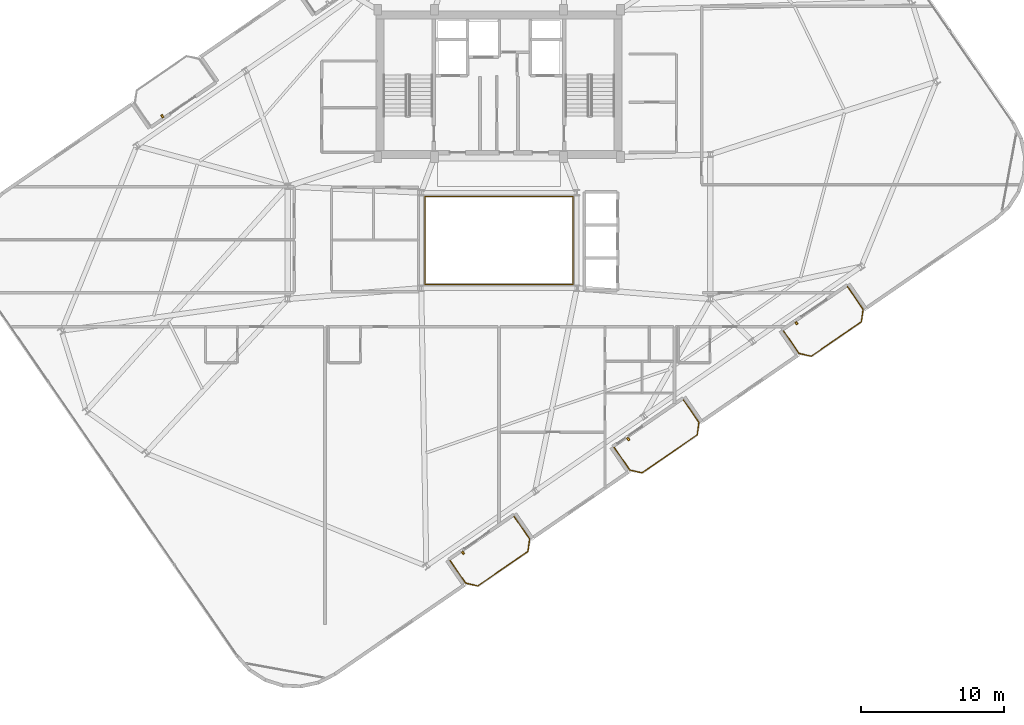
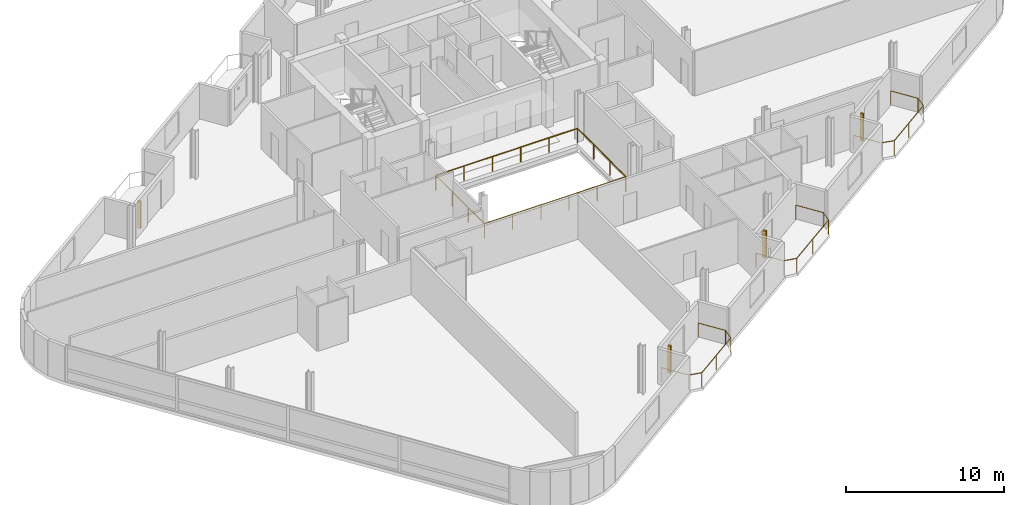
# One storey, part 21 of 23: 5 railings, 4 shading devices.
"""IFC4 building model written with IfcOpenShell, lengths in metres."""

from ifc_helpers import new_model, si_unit, direction, frame, origin, origin_2d, place, context, subcontext, project, spatial, rectangle, circle, extrude, source, transform, mapped, material, type_object, element, save


model = new_model("IFC4")

# Units and contexts
model_context = context("Model", 3, precision=1e-05, world=origin(), true_north=direction((0.0, 1.0)))
body_context = subcontext(model_context, "Body", "Model", "MODEL_VIEW")
ifc_project = project(units=[si_unit("LENGTHUNIT", "METRE"), si_unit("AREAUNIT", "SQUARE_METRE"), si_unit("VOLUMEUNIT", "CUBIC_METRE"), si_unit("PLANEANGLEUNIT", "RADIAN"), si_unit("MASSUNIT", "GRAM", prefix="KILO")], contexts=[model_context])

# Site, building, storey
site_placement = place(None, origin())
site = spatial("IfcSite", under=ifc_project, at=site_placement, CompositionType="ELEMENT")
building_placement = place(site_placement, origin())
building = spatial("IfcBuilding", under=site, at=building_placement, Name="Varnelok Gate Tower", CompositionType="ELEMENT")
storey_placement = place(building_placement, frame((0.0, 0.0, 273.0)))
storey = spatial("IfcBuildingStorey", under=building, at=storey_placement, Name="L70", CompositionType="ELEMENT", Elevation=273.0)

# Railings
ifc_material_1 = material(Name="Tempered Laminated Balustrade Glass", Category="glass")
railing_type_1 = type_object("IfcRailingType", Name="RL-ATR-GUARD1150", PredefinedType="GUARDRAIL", material=ifc_material_1)
railing_1_placement = place(storey_placement, frame((34.02001953125, 25.929931640625, 0.0)))
element("IfcRailing", 1, at=railing_1_placement, inside=storey, type_object=railing_type_1, Name="L70 Internal Atrium South-West Guardrail", PredefinedType="GUARDRAIL", context=body_context, shape_type="SweptSolid", body=[
    extrude(circle(Radius=0.02392578125, at=origin_2d()), frame((0.0, 0.0, 1.1259765625), z_axis=(0.0, -1.0, 0.0), x_axis=(1.0, 0.0, 0.0)), (0.0, 0.0, 1.0), 6.10986328125),
    extrude(circle(Radius=0.02392578125, at=origin_2d()), frame((0.0, -6.10986328125, 1.1259765625), z_axis=(1.0, 0.0, 0.0), x_axis=(0.0, 1.0, 0.0)), (0.0, 0.0, 1.0), 10.31005859375),
    extrude(circle(Radius=0.02099609375, at=origin_2d()), origin(), (0.0, 0.0, 1.0), 1.101806640625),
    extrude(circle(Radius=0.02099609375, at=origin_2d()), frame((0.0, -2.03662109375, 0.0)), (0.0, 0.0, 1.0), 1.101806640625),
    extrude(circle(Radius=0.02099609375, at=origin_2d()), frame((0.0, -4.0732421875, 0.0)), (0.0, 0.0, 1.0), 1.101806640625),
    extrude(circle(Radius=0.02099609375, at=origin_2d()), frame((0.0, -6.10986328125, 0.0)), (0.0, 0.0, 1.0), 1.101806640625),
    extrude(circle(Radius=0.02099609375, at=origin_2d()), frame((2.06201171875, -6.10986328125, 0.0)), (0.0, 0.0, 1.0), 1.101806640625),
    extrude(circle(Radius=0.02099609375, at=origin_2d()), frame((4.1240234375, -6.10986328125, 0.0)), (0.0, 0.0, 1.0), 1.101806640625),
    extrude(circle(Radius=0.02099609375, at=origin_2d()), frame((6.18603515625, -6.10986328125, 0.0)), (0.0, 0.0, 1.0), 1.101806640625),
    extrude(circle(Radius=0.02099609375, at=origin_2d()), frame((8.248046875, -6.10986328125, 0.0)), (0.0, 0.0, 1.0), 1.101806640625),
    extrude(circle(Radius=0.02099609375, at=origin_2d()), frame((10.31005859375, -6.10986328125, 0.0)), (0.0, 0.0, 1.0), 1.101806640625),
])
railing_2_placement = place(storey_placement, frame((44.3798828125, 19.820068359375, 0.0)))
element("IfcRailing", 2, at=railing_2_placement, inside=storey, type_object=railing_type_1, Name="L70 Internal Atrium North-East Guardrail", PredefinedType="GUARDRAIL", context=body_context, shape_type="SweptSolid", body=[
    extrude(circle(Radius=0.02392578125, at=origin_2d()), frame((0.0, 0.0, 1.1259765625), z_axis=(0.0, 1.0, 0.0), x_axis=(-1.0, 0.0, 0.0)), (0.0, 0.0, 1.0), 6.159912109375),
    extrude(circle(Radius=0.02392578125, at=origin_2d()), frame((0.0, 6.159912109375, 1.1259765625), z_axis=(-1.0, 0.0, 0.0), x_axis=(0.0, -1.0, 0.0)), (0.0, 0.0, 1.0), 10.35986328125),
    extrude(circle(Radius=0.02099609375, at=origin_2d()), origin(), (0.0, 0.0, 1.0), 1.101806640625),
    extrude(circle(Radius=0.02099609375, at=origin_2d()), frame((0.0, 2.05322265625, 0.0)), (0.0, 0.0, 1.0), 1.101806640625),
    extrude(circle(Radius=0.02099609375, at=origin_2d()), frame((0.0, 4.106689453125, 0.0)), (0.0, 0.0, 1.0), 1.101806640625),
    extrude(circle(Radius=0.02099609375, at=origin_2d()), frame((0.0, 6.159912109375, 0.0)), (0.0, 0.0, 1.0), 1.101806640625),
    extrude(circle(Radius=0.02099609375, at=origin_2d()), frame((-2.072021484375, 6.159912109375, 0.0)), (0.0, 0.0, 1.0), 1.101806640625),
    extrude(circle(Radius=0.02099609375, at=origin_2d()), frame((-4.14404296875, 6.159912109375, 0.0)), (0.0, 0.0, 1.0), 1.101806640625),
    extrude(circle(Radius=0.02099609375, at=origin_2d()), frame((-6.2158203125, 6.159912109375, 0.0)), (0.0, 0.0, 1.0), 1.101806640625),
    extrude(circle(Radius=0.02099609375, at=origin_2d()), frame((-8.287841796875, 6.159912109375, 0.0)), (0.0, 0.0, 1.0), 1.101806640625),
    extrude(circle(Radius=0.02099609375, at=origin_2d()), frame((-10.35986328125, 6.159912109375, 0.0)), (0.0, 0.0, 1.0), 1.101806640625),
])
ifc_material_2 = material(Name="Low-E Laminated Double Glazing IGU", Category="glass")
railing_type_2 = type_object("IfcRailingType", Name="RL-BALC-1150", PredefinedType="BALUSTRADE", material=ifc_material_2)
railing_3_placement = place(storey_placement, frame((35.77099609375, 0.473876953125, 0.0)))
element("IfcRailing", 3, at=railing_3_placement, inside=storey, type_object=railing_type_2, Name="L70 South Terrace Balustrade 1", PredefinedType="BALUSTRADE", context=body_context, shape_type="SweptSolid", body=[
    extrude(circle(Radius=0.02392578125, at=origin_2d()), frame((0.0, 0.0, 1.1259765625), z_axis=(0.567224752248, -0.823563039747, 0.0), x_axis=(0.823563039747, 0.567224752248, 0.0)), (0.0, 0.0, 1.0), 1.920166015625),
    extrude(circle(Radius=0.02392578125, at=origin_2d()), frame((1.089111328125, -1.581298828125, 1.1259765625), z_axis=(0.973526462254, -0.228574336467, 0.0), x_axis=(0.228574336467, 0.973526462254, 0.0)), (0.0, 0.0, 1.0), 0.8779296875),
    extrude(circle(Radius=0.02392578125, at=origin_2d()), frame((1.94384765625, -1.781982421875, 1.1259765625), z_axis=(0.823512353028, 0.5672983381, 0.0), x_axis=(-0.5672983381, 0.823512353028, 0.0)), (0.0, 0.0, 1.0), 4.26708984375),
    extrude(circle(Radius=0.02392578125, at=origin_2d()), frame((5.457763671875, 0.638671875, 1.1259765625), z_axis=(0.133475040405, 0.991052175008, 0.0), x_axis=(-0.991052175008, 0.133475040405, 0.0)), (0.0, 0.0, 1.0), 0.8779296875),
    extrude(circle(Radius=0.02392578125, at=origin_2d()), frame((5.574951171875, 1.5087890625, 1.1259765625), z_axis=(-0.567284155424, 0.82352212296, 0.0), x_axis=(-0.82352212296, -0.567284155424, 0.0)), (0.0, 0.0, 1.0), 1.919921875),
    extrude(circle(Radius=0.02099609375, at=origin_2d()), origin(), (0.0, 0.0, 1.0), 1.101806640625),
    extrude(circle(Radius=0.02099609375, at=origin_2d()), frame((1.089111328125, -1.581298828125, 0.0)), (0.0, 0.0, 1.0), 1.101806640625),
    extrude(circle(Radius=0.02099609375, at=origin_2d()), frame((1.94384765625, -1.781982421875, 0.0)), (0.0, 0.0, 1.0), 1.101806640625),
    extrude(circle(Radius=0.02099609375, at=origin_2d()), frame((3.70068359375, -0.57177734375, 0.0)), (0.0, 0.0, 1.0), 1.101806640625),
    extrude(circle(Radius=0.02099609375, at=origin_2d()), frame((5.457763671875, 0.638671875, 0.0)), (0.0, 0.0, 1.0), 1.101806640625),
    extrude(circle(Radius=0.02099609375, at=origin_2d()), frame((5.574951171875, 1.5087890625, 0.0)), (0.0, 0.0, 1.0), 1.101806640625),
    extrude(circle(Radius=0.02099609375, at=origin_2d()), frame((4.48583984375, 3.08984375, 0.0)), (0.0, 0.0, 1.0), 1.101806640625),
])
railing_4_placement = place(storey_placement, frame((47.273193359375, 8.39697265625, 0.0)))
element("IfcRailing", 4, at=railing_4_placement, inside=storey, type_object=railing_type_2, Name="L70 South Terrace Balustrade 2", PredefinedType="BALUSTRADE", context=body_context, shape_type="SweptSolid", body=[
    extrude(circle(Radius=0.02392578125, at=origin_2d()), frame((0.0, 0.0, 1.1259765625), z_axis=(0.567224752248, -0.823563039747, 0.0), x_axis=(0.823563039747, 0.567224752248, 0.0)), (0.0, 0.0, 1.0), 1.920166015625),
    extrude(circle(Radius=0.02392578125, at=origin_2d()), frame((1.089111328125, -1.581298828125, 1.1259765625), z_axis=(0.973526462254, -0.228574336467, 0.0), x_axis=(0.228574336467, 0.973526462254, 0.0)), (0.0, 0.0, 1.0), 0.8779296875),
    extrude(circle(Radius=0.02392578125, at=origin_2d()), frame((1.94384765625, -1.781982421875, 1.1259765625), z_axis=(0.823523239622, 0.567282534371, 0.0), x_axis=(-0.567282534371, 0.823523239622, 0.0)), (0.0, 0.0, 1.0), 4.699951171875),
    extrude(circle(Radius=0.02392578125, at=origin_2d()), frame((5.814453125, 0.88427734375, 1.1259765625), z_axis=(0.133511834152, 0.991047218926, 0.0), x_axis=(-0.991047218926, 0.133511834152, 0.0)), (0.0, 0.0, 1.0), 0.877685546875),
    extrude(circle(Radius=0.02392578125, at=origin_2d()), frame((5.931640625, 1.754150390625, 1.1259765625), z_axis=(-0.567224752248, 0.823563039747, 0.0), x_axis=(-0.823563039747, -0.567224752248, 0.0)), (0.0, 0.0, 1.0), 1.920166015625),
    extrude(circle(Radius=0.02099609375, at=origin_2d()), origin(), (0.0, 0.0, 1.0), 1.101806640625),
    extrude(circle(Radius=0.02099609375, at=origin_2d()), frame((1.089111328125, -1.581298828125, 0.0)), (0.0, 0.0, 1.0), 1.101806640625),
    extrude(circle(Radius=0.02099609375, at=origin_2d()), frame((1.94384765625, -1.781982421875, 0.0)), (0.0, 0.0, 1.0), 1.101806640625),
    extrude(circle(Radius=0.02099609375, at=origin_2d()), frame((3.879150390625, -0.44873046875, 0.0)), (0.0, 0.0, 1.0), 1.101806640625),
    extrude(circle(Radius=0.02099609375, at=origin_2d()), frame((5.814453125, 0.88427734375, 0.0)), (0.0, 0.0, 1.0), 1.101806640625),
    extrude(circle(Radius=0.02099609375, at=origin_2d()), frame((5.931640625, 1.754150390625, 0.0)), (0.0, 0.0, 1.0), 1.101806640625),
    extrude(circle(Radius=0.02099609375, at=origin_2d()), frame((4.842529296875, 3.33544921875, 0.0)), (0.0, 0.0, 1.0), 1.101806640625),
])
railing_5_placement = place(storey_placement, frame((59.132080078125, 16.5654296875, 0.0)))
element("IfcRailing", 5, at=railing_5_placement, inside=storey, type_object=railing_type_2, Name="L70 South Terrace Balustrade 3", PredefinedType="BALUSTRADE", context=body_context, shape_type="SweptSolid", body=[
    extrude(circle(Radius=0.02392578125, at=origin_2d()), frame((0.0, 0.0, 1.1259765625), z_axis=(0.567284155424, -0.82352212296, 0.0), x_axis=(0.82352212296, 0.567284155424, 0.0)), (0.0, 0.0, 1.0), 1.919921875),
    extrude(circle(Radius=0.02392578125, at=origin_2d()), frame((1.089111328125, -1.5810546875, 1.1259765625), z_axis=(0.973526462254, -0.228574336467, 0.0), x_axis=(0.228574336467, 0.973526462254, 0.0)), (0.0, 0.0, 1.0), 0.8779296875),
    extrude(circle(Radius=0.02392578125, at=origin_2d()), frame((1.94384765625, -1.78173828125, 1.1259765625), z_axis=(0.823512353028, 0.5672983381, 0.0), x_axis=(-0.5672983381, 0.823512353028, 0.0)), (0.0, 0.0, 1.0), 4.26708984375),
    extrude(circle(Radius=0.02392578125, at=origin_2d()), frame((5.457763671875, 0.638916015625, 1.1259765625), z_axis=(0.133511834152, 0.991047218926, 0.0), x_axis=(-0.991047218926, 0.133511834152, 0.0)), (0.0, 0.0, 1.0), 0.877685546875),
    extrude(circle(Radius=0.02392578125, at=origin_2d()), frame((5.574951171875, 1.5087890625, 1.1259765625), z_axis=(-0.567224752248, 0.823563039747, 0.0), x_axis=(-0.823563039747, -0.567224752248, 0.0)), (0.0, 0.0, 1.0), 1.920166015625),
    extrude(circle(Radius=0.02099609375, at=origin_2d()), origin(), (0.0, 0.0, 1.0), 1.101806640625),
    extrude(circle(Radius=0.02099609375, at=origin_2d()), frame((1.089111328125, -1.5810546875, 0.0)), (0.0, 0.0, 1.0), 1.101806640625),
    extrude(circle(Radius=0.02099609375, at=origin_2d()), frame((1.94384765625, -1.78173828125, 0.0)), (0.0, 0.0, 1.0), 1.101806640625),
    extrude(circle(Radius=0.02099609375, at=origin_2d()), frame((3.70068359375, -0.5712890625, 0.0)), (0.0, 0.0, 1.0), 1.101806640625),
    extrude(circle(Radius=0.02099609375, at=origin_2d()), frame((5.457763671875, 0.638916015625, 0.0)), (0.0, 0.0, 1.0), 1.101806640625),
    extrude(circle(Radius=0.02099609375, at=origin_2d()), frame((5.574951171875, 1.5087890625, 0.0)), (0.0, 0.0, 1.0), 1.101806640625),
    extrude(circle(Radius=0.02099609375, at=origin_2d()), frame((4.48583984375, 3.090087890625, 0.0)), (0.0, 0.0, 1.0), 1.101806640625),
])

# Shading devices
ifc_material_3 = material(Name="Glazed Architectural Terracotta Ceramic", Category="masonry")
shading_device_type = type_object("IfcShadingDeviceType", Name="SHD-TERRA-BAGUETTE", PredefinedType="USERDEFINED", material=ifc_material_3)
shared_shape = source(origin(), body_context, "Body", "SweptSolid", [
    extrude(rectangle(XDim=0.139892578125, YDim=0.219970703125, at=origin_2d()), origin(), (0.0, 0.0, 1.0), 2.10009765625),
])
for number, where, z_axis, x_axis, name in (
    (6, (36.67822265625, 1.013671875, 0.099853515625), (0.0, 0.0, 1.0), (0.823532597628, 0.567268949127, 0.0), "L70 Terracotta Ceramic Baguette Sunscreen 1.1"),
    (7, (48.251708984375, 8.98583984375, 0.099853515625), (0.0, 0.0, 1.0), (0.823532597628, 0.567268949127, 0.0), "L70 Terracotta Ceramic Baguette Sunscreen 2.1"),
    (8, (60.039306640625, 17.10546875, 0.099853515625), (0.0, 0.0, 1.0), (0.823532597628, 0.567268949127, 0.0), "L70 Terracotta Ceramic Baguette Sunscreen 3.1"),
    (9, (15.60986328125, 31.599609375, 0.099853515625), (0.0, 0.0, 1.0), (0.823532597628, 0.567268949127, 0.0), "L70 Terracotta Ceramic Baguette Sunscreen 4.1"),
):
    element("IfcShadingDevice", number, at=place(storey_placement, frame(where, z_axis=z_axis, x_axis=x_axis)), inside=storey, type_object=shading_device_type, Name=name, ObjectType="BAGUETTE", PredefinedType="USERDEFINED", context=body_context, shape_type="MappedRepresentation", body=[
        mapped(shared_shape, transform((0.0, 0.0, 0.0), scale=1.0)),
    ])

save(model, "model.ifc")
